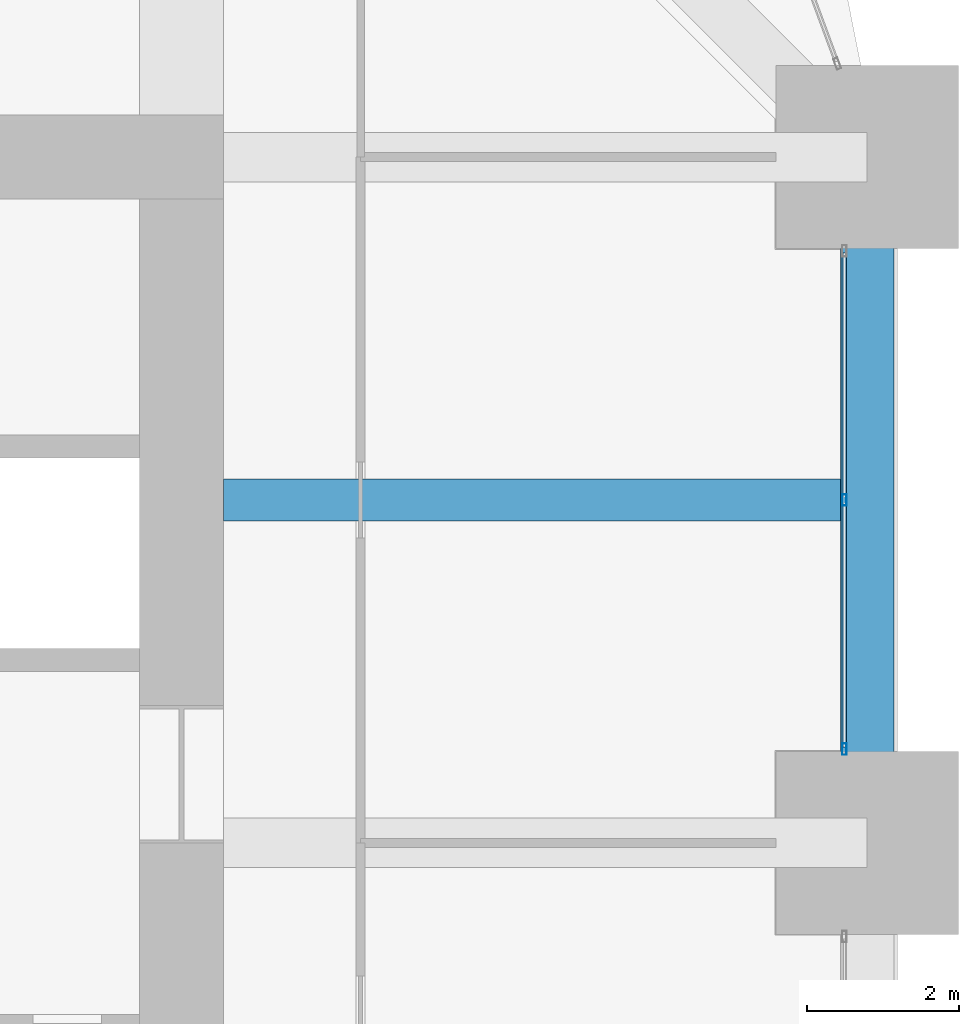
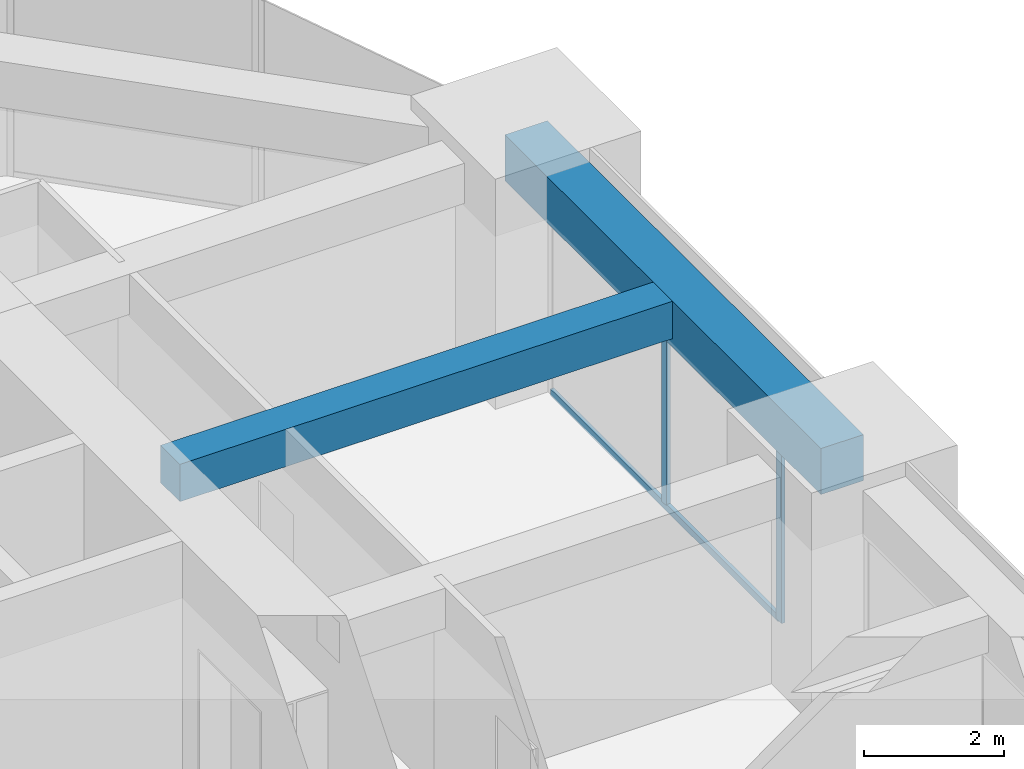
# One storey, part 19 of 32: 3 members, 2 beams, 1 element without a shape of its own.
"""IFC4 building model written with IfcOpenShell, lengths in metres."""

from ifc_helpers import new_model, si_unit, direction, frame, origin, origin_2d, place, context, subcontext, project, spatial, rectangle, hollow_rectangle, extrude, material, material_profile, profile_set, type_object, element, aggregate, save


model = new_model("IFC4")

# Units and contexts
model_context = context("Model", 3, precision=1e-05, world=origin(), true_north=direction((0.0, 1.0)))
body_context = subcontext(model_context, "Body", "Model", "MODEL_VIEW")
ifc_project = project(units=[si_unit("LENGTHUNIT", "METRE"), si_unit("AREAUNIT", "SQUARE_METRE"), si_unit("VOLUMEUNIT", "CUBIC_METRE"), si_unit("PLANEANGLEUNIT", "RADIAN"), si_unit("MASSUNIT", "GRAM", prefix="KILO")], contexts=[model_context])

# Site, building, storey
site_placement = place(None, origin())
site = spatial("IfcSite", under=ifc_project, at=site_placement, CompositionType="ELEMENT")
building_placement = place(site_placement, origin())
building = spatial("IfcBuilding", under=site, at=building_placement, Name="Zorevar Civic Tower", CompositionType="ELEMENT")
storey_placement = place(building_placement, frame((0.0, 0.0, 186.199951171875)))
storey = spatial("IfcBuildingStorey", under=building, at=storey_placement, Name="L45", CompositionType="ELEMENT", Elevation=186.199951171875)

# Beam
ifc_material_1 = material(Name="Concrete C50/60", Category="concrete")
ifc_material_profile_1 = material_profile(ifc_material_1, rectangle(XDim=0.550048828125, YDim=0.64990234375, at=origin_2d()), Name="RC 550x650")
ifc_profile_set_1 = profile_set([ifc_material_profile_1], Name="Concrete C50/60")
beam_type_1 = type_object("IfcBeamType", Name="Beam RC 550x650", PredefinedType="BEAM", material=ifc_profile_set_1)
beam_1_placement = place(storey_placement, frame((45.550048828125, 31.5, 3.425048828125), z_axis=(1.0, 0.0, 0.0), x_axis=(0.0, 1.0, 0.0)))
element("IfcBeam", 1, at=beam_1_placement, inside=storey, type_object=beam_type_1, Name="Secondary beam L46", PredefinedType="BEAM", context=body_context, shape_type="SweptSolid", body=[
    extrude(rectangle(XDim=0.550048828125, YDim=0.64990234375, at=origin_2d()), origin(), (0.0, 0.0, 1.0), 8.099853515625),
])

# Curtain wall, members
ifc_material_2 = material(Name="Dark grey solar-control glass in black aluminium frame", Category="aluminium")
curtain_wall_type = type_object("IfcCurtainWallType", Name="Curtain wall CW4 high zone", PredefinedType="NOTDEFINED", material=ifc_material_2)
curtain_wall_placement = place(storey_placement, origin())
curtain_wall = element("IfcCurtainWall", 2, at=curtain_wall_placement, inside=storey, type_object=curtain_wall_type, Name="CW4 L45", PredefinedType="NOTDEFINED")
ifc_material_3 = material(Name="Aluminium, black anodised", Category="aluminium")
ifc_material_profile_2 = material_profile(ifc_material_3, hollow_rectangle(XDim=0.06005859375, YDim=0.14990234375, WallThickness=0.00390625, at=origin_2d()), Name="AL 150x60x4")
ifc_profile_set_2 = profile_set([ifc_material_profile_2], Name="Aluminium, black anodised")
member_type_1 = type_object("IfcMemberType", Name="CW4 mullion AL 150x60x4", PredefinedType="MULLION", material=ifc_profile_set_2)
member_1_placement = place(storey_placement, frame((53.699951171875, 28.22998046875, 0.0), z_axis=(0.0, 0.0, 1.0), x_axis=(-1.0, 0.0, 0.0)))
member_1 = element("IfcMember", 3, at=member_1_placement, type_object=member_type_1, Name="CW4 mullion 1", PredefinedType="MULLION", context=body_context, shape_type="SweptSolid", body=[
    extrude(hollow_rectangle(XDim=0.06005859375, YDim=0.14990234375, WallThickness=0.00390625, at=origin_2d()), origin(), (0.0, 0.0, 1.0), 2.949951171875),
])
member_2_placement = place(storey_placement, frame((53.699951171875, 31.5, 0.06005859375), z_axis=(0.0, 0.0, 1.0), x_axis=(-1.0, 0.0, 0.0)))
member_2 = element("IfcMember", 4, at=member_2_placement, type_object=member_type_1, Name="CW4 mullion 2", PredefinedType="MULLION", context=body_context, shape_type="SweptSolid", body=[
    extrude(hollow_rectangle(XDim=0.06005859375, YDim=0.14990234375, WallThickness=0.00390625, at=origin_2d()), origin(), (0.0, 0.0, 1.0), 2.889892578125),
])
ifc_material_4 = material(Name="Aluminium, black anodised", Category="aluminium")
ifc_material_profile_3 = material_profile(ifc_material_4, hollow_rectangle(XDim=0.06005859375, YDim=0.1201171875, WallThickness=0.0029296875, at=origin_2d()), Name="AL 120x60x3")
ifc_profile_set_3 = profile_set([ifc_material_profile_3], Name="Aluminium, black anodised")
member_type_2 = type_object("IfcMemberType", Name="CW4 transom AL 120x60x3", PredefinedType="USERDEFINED", material=ifc_profile_set_3)
member_3_placement = place(storey_placement, frame((53.699951171875, 28.260009765625, 0.030029296875), z_axis=(0.0, 1.0, 0.0), x_axis=(-1.0, 0.0, 0.0)))
member_3 = element("IfcMember", 5, at=member_3_placement, type_object=member_type_2, Name="CW4 sill transom", ObjectType="TRANSOM", PredefinedType="USERDEFINED", context=body_context, shape_type="SweptSolid", body=[
    extrude(hollow_rectangle(XDim=0.06005859375, YDim=0.1201171875, WallThickness=0.0029296875, at=origin_2d()), origin(), (0.0, 0.0, 1.0), 6.47998046875),
])
aggregate(curtain_wall, [member_1, member_2, member_3])

# Beam
ifc_material_5 = material(Name="Concrete C50/60", Category="concrete")
ifc_material_profile_4 = material_profile(ifc_material_5, rectangle(XDim=0.699951171875, YDim=0.800048828125, at=origin_2d()), Name="RC 700x800")
ifc_profile_set_4 = profile_set([ifc_material_profile_4], Name="Concrete C50/60")
beam_type_2 = type_object("IfcBeamType", Name="Edge beam RC 700x800", PredefinedType="SPANDREL", material=ifc_profile_set_4)
beam_2_placement = place(storey_placement, frame((54.0, 27.0, 3.35009765625), z_axis=(0.0, 1.0, 0.0), x_axis=(-1.0, 0.0, 0.0)))
element("IfcBeam", 6, at=beam_2_placement, inside=storey, type_object=beam_type_2, Name="Edge beam L46", PredefinedType="SPANDREL", context=body_context, shape_type="SweptSolid", body=[
    extrude(rectangle(XDim=0.699951171875, YDim=0.800048828125, at=origin_2d()), origin(), (0.0, 0.0, 1.0), 9.0),
])

save(model, "model.ifc")
